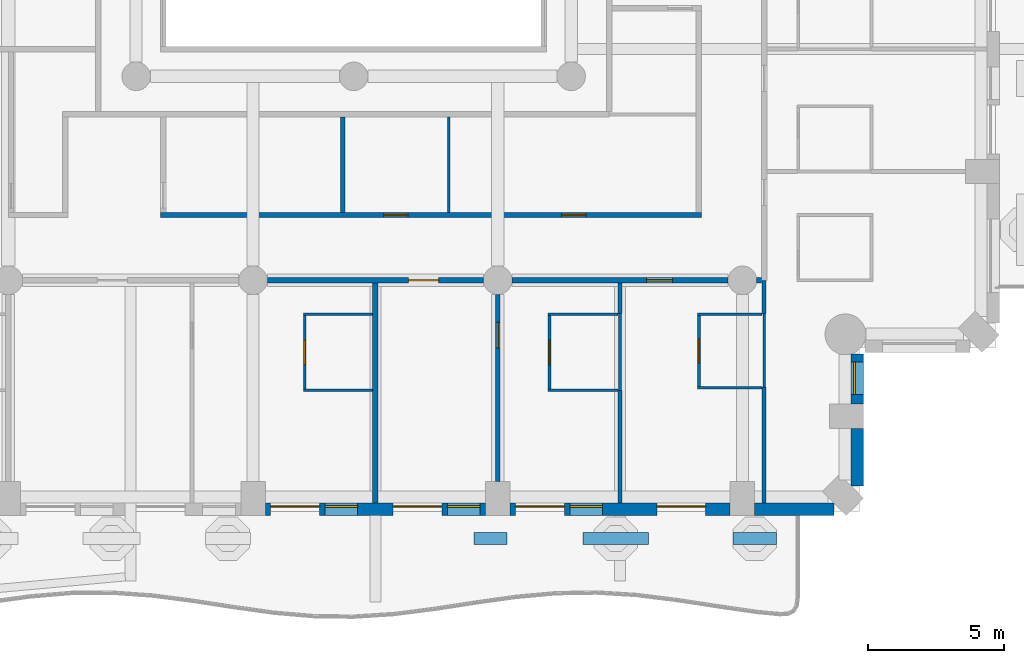
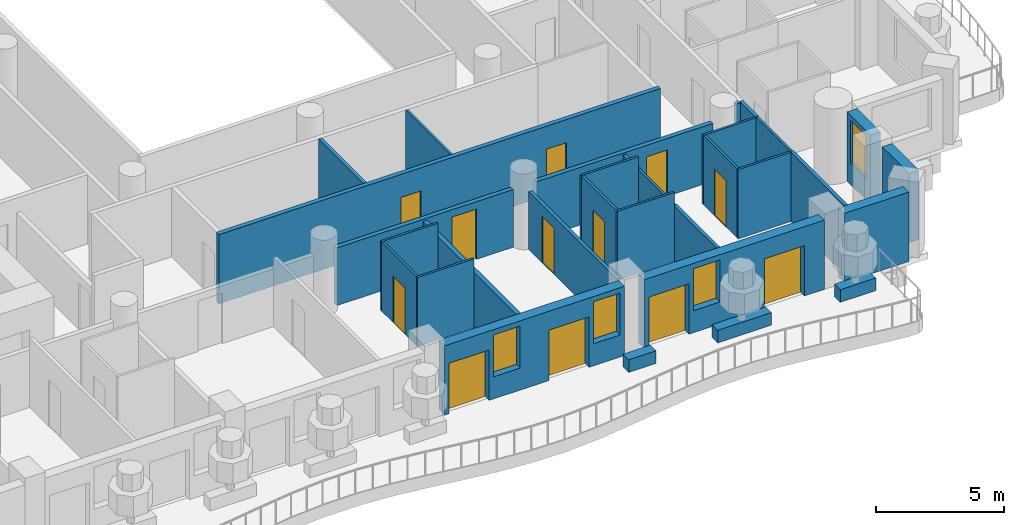
# One storey, part 5 of 20: 31 walls, 12 doors, 4 windows, 16 openings.
"""IFC4 building model written with IfcOpenShell, lengths in metres."""

from ifc_helpers import new_model, si_unit, direction, frame, frame_2d, origin, place, context, subcontext, project, spatial, rectangle, extrude, material, layer, layer_set, type_object, element, fill, save


model = new_model("IFC4")

# Units and contexts
model_context = context("Model", 3, precision=1e-05, world=origin(), true_north=direction((0.0, 1.0)))
body_context = subcontext(model_context, "Body", "Model", "MODEL_VIEW")
ifc_project = project(units=[si_unit("LENGTHUNIT", "METRE"), si_unit("AREAUNIT", "SQUARE_METRE"), si_unit("VOLUMEUNIT", "CUBIC_METRE"), si_unit("PLANEANGLEUNIT", "RADIAN"), si_unit("MASSUNIT", "GRAM", prefix="KILO")], contexts=[model_context])

# Site, building, storey
site_placement = place(None, origin())
site = spatial("IfcSite", under=ifc_project, at=site_placement, CompositionType="ELEMENT")
building_placement = place(site_placement, origin())
building = spatial("IfcBuilding", under=site, at=building_placement, Name="Cypress Arch Tower", CompositionType="ELEMENT")
storey_placement = place(building_placement, frame((0.0, 0.0, 134.699951171875)))
storey = spatial("IfcBuildingStorey", under=building, at=storey_placement, Name="L29", CompositionType="ELEMENT", Elevation=134.699951171875)

# Walls
ifc_material_1 = material(Name="Concrete C40/50, waterproofed", Category="concrete")
ifc_layer_1 = layer(ifc_material_1, 0.449951171875)
ifc_layer_set_1 = layer_set([ifc_layer_1], Name="Balcony planter wall PW450")
wall_type_1 = type_object("IfcWallType", Name="Balcony planter wall PW450", PredefinedType="SOLIDWALL", material=ifc_layer_set_1)
wall_1_placement = place(storey_placement, frame((5.419921875, -27.0, 0.0), z_axis=(0.0, 0.0, 1.0), x_axis=(1.0, 0.0, 0.0)))
element("IfcWall", 1, at=wall_1_placement, inside=storey, type_object=wall_type_1, Name="Balcony planter wall L29-A03.5", PredefinedType="SOLIDWALL", context=body_context, shape_type="SweptSolid", body=[
    extrude(rectangle(XDim=1.22998046875, YDim=0.449951171875, at=frame_2d((0.614990234375, 0.0))), origin(), (0.0, 0.0, 1.0), 0.60009765625),
])
wall_2_placement = place(storey_placement, frame((9.429931640625, -27.0, 0.0), z_axis=(0.0, 0.0, 1.0), x_axis=(1.0, 0.0, 0.0)))
element("IfcWall", 2, at=wall_2_placement, inside=storey, type_object=wall_type_1, Name="Balcony planter wall L29-A03.6", PredefinedType="SOLIDWALL", context=body_context, shape_type="SweptSolid", body=[
    extrude(rectangle(XDim=2.420166015625, YDim=0.449951171875, at=frame_2d((1.2099609375, 0.0))), origin(), (0.0, 0.0, 1.0), 0.60009765625),
])
wall_3_placement = place(storey_placement, frame((14.949951171875, -27.0, 0.0), z_axis=(0.0, 0.0, 1.0), x_axis=(1.0, 0.0, 0.0)))
element("IfcWall", 3, at=wall_3_placement, inside=storey, type_object=wall_type_1, Name="Balcony planter wall L29-A03.7", PredefinedType="SOLIDWALL", context=body_context, shape_type="SweptSolid", body=[
    extrude(rectangle(XDim=1.60009765625, YDim=0.449951171875, at=frame_2d((0.800048828125, 0.0))), origin(), (0.0, 0.0, 1.0), 0.60009765625),
])

# Wall, openings, doors, windows
ifc_material_2 = material(Name="Brick (red buff blend)", Category="masonry")
ifc_layer_2 = layer(ifc_material_2, 0.449951171875)
ifc_layer_set_2 = layer_set([ifc_layer_2], Name="Brick pier and spandrel wall BW450")
wall_type_2 = type_object("IfcWallType", Name="Brick pier and spandrel wall BW450", PredefinedType="SOLIDWALL", material=ifc_layer_set_2)
wall_4_placement = place(storey_placement, frame((-2.25, -25.925048828125, 0.0), z_axis=(0.0, 0.0, 1.0), x_axis=(1.0, 0.0, 0.0)))
wall_4 = element("IfcWall", 4, at=wall_4_placement, inside=storey, type_object=wall_type_2, Name="Brick wall L29 A03.3", PredefinedType="SOLIDWALL", context=body_context, shape_type="SweptSolid", body=[
    extrude(rectangle(XDim=8.10009765625, YDim=0.449951171875, at=frame_2d((4.050048828125, 0.0))), origin(), (0.0, 0.0, 1.0), 3.300048828125),
])
opening_1_placement = place(wall_4_placement, frame((0.199951171875, 0.0, 0.0)))
opening_1 = element("IfcOpeningElement", 5, at=opening_1_placement, cuts=wall_4, Name="Opening D-L29-A03.3.1", PredefinedType="OPENING", context=body_context, shape_type="SweptSolid", body=[
    extrude(rectangle(XDim=1.800048828125, YDim=2.39990234375, at=frame_2d((0.89990234375, 1.199951171875))), frame((0.0, 0.23486328125, 0.0), z_axis=(0.0, -1.0, 0.0), x_axis=(1.0, 0.0, 0.0)), (0.0, 0.0, 1.0), 0.469970703125),
])
opening_2_placement = place(wall_4_placement, frame((2.199951171875, 0.0, 1.050048828125)))
opening_2 = element("IfcOpeningElement", 6, at=opening_2_placement, cuts=wall_4, Name="Opening W120HD", PredefinedType="OPENING", context=body_context, shape_type="SweptSolid", body=[
    extrude(rectangle(XDim=1.199951171875, YDim=2.0, at=frame_2d((0.60009765625, 1.0))), frame((0.0, 0.23486328125, 0.0), z_axis=(0.0, -1.0, 0.0), x_axis=(1.0, 0.0, 0.0)), (0.0, 0.0, 1.0), 0.469970703125),
])
opening_3_placement = place(wall_4_placement, frame((4.699951171875, 0.0, 0.0)))
opening_3 = element("IfcOpeningElement", 7, at=opening_3_placement, cuts=wall_4, Name="Opening D-L29-A03.3.2", PredefinedType="OPENING", context=body_context, shape_type="SweptSolid", body=[
    extrude(rectangle(XDim=1.800048828125, YDim=2.39990234375, at=frame_2d((0.89990234375, 1.199951171875))), frame((0.0, 0.23486328125, 0.0), z_axis=(0.0, -1.0, 0.0), x_axis=(1.0, 0.0, 0.0)), (0.0, 0.0, 1.0), 0.469970703125),
])
opening_4_placement = place(wall_4_placement, frame((6.699951171875, 0.0, 1.050048828125)))
opening_4 = element("IfcOpeningElement", 8, at=opening_4_placement, cuts=wall_4, Name="Opening W120HD", PredefinedType="OPENING", context=body_context, shape_type="SweptSolid", body=[
    extrude(rectangle(XDim=1.199951171875, YDim=2.0, at=frame_2d((0.60009765625, 1.0))), frame((0.0, 0.23486328125, 0.0), z_axis=(0.0, -1.0, 0.0), x_axis=(1.0, 0.0, 0.0)), (0.0, 0.0, 1.0), 0.469970703125),
])
ifc_material_3 = material(Name="Anodised aluminium, bronze finish, laminated low-emissivity double glazing, large-missile impact rated", Category="aluminium")
door_type_1 = type_object("IfcDoorType", Name="Balcony sliding door 1800x2400", OperationType="SLIDING_TO_LEFT", PredefinedType="DOOR", material=ifc_material_3)
door_1_placement = place(opening_1_placement, origin())
door_1 = element("IfcDoor", 9, at=door_1_placement, inside=storey, type_object=door_type_1, Name="Balcony door L29 A03.3.1", OperationType="SLIDING_TO_LEFT", OverallHeight=2.39990234375, OverallWidth=1.800048828125, PredefinedType="DOOR", context=body_context, shape_type="SweptSolid", body=[
    extrude(rectangle(XDim=1.800048828125, YDim=2.39990234375, at=frame_2d((0.89990234375, 1.199951171875))), frame((0.0, 0.1298828125, 0.0), z_axis=(0.0, -1.0, 0.0), x_axis=(1.0, 0.0, 0.0)), (0.0, 0.0, 1.0), 0.050048828125),
])
fill(opening_1, door_1)
door_2_placement = place(opening_3_placement, origin())
door_2 = element("IfcDoor", 10, at=door_2_placement, inside=storey, type_object=door_type_1, Name="Balcony door L29 A03.3.2", OperationType="SLIDING_TO_LEFT", OverallHeight=2.39990234375, OverallWidth=1.800048828125, PredefinedType="DOOR", context=body_context, shape_type="SweptSolid", body=[
    extrude(rectangle(XDim=1.800048828125, YDim=2.39990234375, at=frame_2d((0.89990234375, 1.199951171875))), frame((0.0, 0.1298828125, 0.0), z_axis=(0.0, -1.0, 0.0), x_axis=(1.0, 0.0, 0.0)), (0.0, 0.0, 1.0), 0.050048828125),
])
fill(opening_3, door_2)
ifc_material_4 = material(Name="Anodised aluminium, bronze finish, laminated low-emissivity double glazing, large-missile impact rated", Category="aluminium")
window_type_1 = type_object("IfcWindowType", Name="Window Hotel 1200x2000 debris-rated", PartitioningType="SINGLE_PANEL", PredefinedType="WINDOW", material=ifc_material_4)
window_1_placement = place(opening_2_placement, origin())
window_1 = element("IfcWindow", 11, at=window_1_placement, inside=storey, type_object=window_type_1, Name="Window L29 A03.3.1", OverallHeight=2.0, OverallWidth=1.199951171875, PartitioningType="SINGLE_PANEL", PredefinedType="WINDOW", context=body_context, shape_type="SweptSolid", body=[
    extrude(rectangle(XDim=1.199951171875, YDim=2.0, at=frame_2d((0.60009765625, 1.0))), frame((0.0, 0.135009765625, 0.0), z_axis=(0.0, -1.0, 0.0), x_axis=(1.0, 0.0, 0.0)), (0.0, 0.0, 1.0), 0.06005859375),
])
fill(opening_2, window_1)
window_2_placement = place(opening_4_placement, origin())
window_2 = element("IfcWindow", 12, at=window_2_placement, inside=storey, type_object=window_type_1, Name="Window L29 A03.3.2", OverallHeight=2.0, OverallWidth=1.199951171875, PartitioningType="SINGLE_PANEL", PredefinedType="WINDOW", context=body_context, shape_type="SweptSolid", body=[
    extrude(rectangle(XDim=1.199951171875, YDim=2.0, at=frame_2d((0.60009765625, 1.0))), frame((0.0, 0.135009765625, 0.0), z_axis=(0.0, -1.0, 0.0), x_axis=(1.0, 0.0, 0.0)), (0.0, 0.0, 1.0), 0.06005859375),
])
fill(opening_4, window_2)

# Wall, openings, doors, window
wall_5_placement = place(storey_placement, frame((6.75, -25.925048828125, 0.0), z_axis=(0.0, 0.0, 1.0), x_axis=(1.0, 0.0, 0.0)))
wall_5 = element("IfcWall", 13, at=wall_5_placement, inside=storey, type_object=wall_type_2, Name="Brick wall L29 A03.4", PredefinedType="SOLIDWALL", context=body_context, shape_type="SweptSolid", body=[
    extrude(rectangle(XDim=8.10009765625, YDim=0.449951171875, at=frame_2d((4.050048828125, 0.0))), origin(), (0.0, 0.0, 1.0), 3.300048828125),
])
opening_5_placement = place(wall_5_placement, frame((0.199951171875, 0.0, 0.0)))
opening_5 = element("IfcOpeningElement", 14, at=opening_5_placement, cuts=wall_5, Name="Opening D-L29-A03.4.1", PredefinedType="OPENING", context=body_context, shape_type="SweptSolid", body=[
    extrude(rectangle(XDim=1.800048828125, YDim=2.39990234375, at=frame_2d((0.89990234375, 1.199951171875))), frame((0.0, 0.23486328125, 0.0), z_axis=(0.0, -1.0, 0.0), x_axis=(1.0, 0.0, 0.0)), (0.0, 0.0, 1.0), 0.469970703125),
])
opening_6_placement = place(wall_5_placement, frame((2.199951171875, 0.0, 1.050048828125)))
opening_6 = element("IfcOpeningElement", 15, at=opening_6_placement, cuts=wall_5, Name="Opening W120HD", PredefinedType="OPENING", context=body_context, shape_type="SweptSolid", body=[
    extrude(rectangle(XDim=1.199951171875, YDim=2.0, at=frame_2d((0.60009765625, 1.0))), frame((0.0, 0.23486328125, 0.0), z_axis=(0.0, -1.0, 0.0), x_axis=(1.0, 0.0, 0.0)), (0.0, 0.0, 1.0), 0.469970703125),
])
opening_7_placement = place(wall_5_placement, frame((5.39990234375, 0.0, 0.0)))
opening_7 = element("IfcOpeningElement", 16, at=opening_7_placement, cuts=wall_5, Name="Opening D-L29-A03.4.2", PredefinedType="OPENING", context=body_context, shape_type="SweptSolid", body=[
    extrude(rectangle(XDim=1.800048828125, YDim=2.39990234375, at=frame_2d((0.89990234375, 1.199951171875))), frame((0.0, 0.23486328125, 0.0), z_axis=(0.0, -1.0, 0.0), x_axis=(1.0, 0.0, 0.0)), (0.0, 0.0, 1.0), 0.469970703125),
])
door_3_placement = place(opening_5_placement, origin())
door_3 = element("IfcDoor", 17, at=door_3_placement, inside=storey, type_object=door_type_1, Name="Balcony door L29 A03.4.1", OperationType="SLIDING_TO_LEFT", OverallHeight=2.39990234375, OverallWidth=1.800048828125, PredefinedType="DOOR", context=body_context, shape_type="SweptSolid", body=[
    extrude(rectangle(XDim=1.800048828125, YDim=2.39990234375, at=frame_2d((0.89990234375, 1.199951171875))), frame((0.0, 0.1298828125, 0.0), z_axis=(0.0, -1.0, 0.0), x_axis=(1.0, 0.0, 0.0)), (0.0, 0.0, 1.0), 0.050048828125),
])
fill(opening_5, door_3)
door_4_placement = place(opening_7_placement, origin())
door_4 = element("IfcDoor", 18, at=door_4_placement, inside=storey, type_object=door_type_1, Name="Balcony door L29 A03.4.2", OperationType="SLIDING_TO_LEFT", OverallHeight=2.39990234375, OverallWidth=1.800048828125, PredefinedType="DOOR", context=body_context, shape_type="SweptSolid", body=[
    extrude(rectangle(XDim=1.800048828125, YDim=2.39990234375, at=frame_2d((0.89990234375, 1.199951171875))), frame((0.0, 0.1298828125, 0.0), z_axis=(0.0, -1.0, 0.0), x_axis=(1.0, 0.0, 0.0)), (0.0, 0.0, 1.0), 0.050048828125),
])
fill(opening_7, door_4)
window_3_placement = place(opening_6_placement, origin())
window_3 = element("IfcWindow", 19, at=window_3_placement, inside=storey, type_object=window_type_1, Name="Window L29 A03.4.1", OverallHeight=2.0, OverallWidth=1.199951171875, PartitioningType="SINGLE_PANEL", PredefinedType="WINDOW", context=body_context, shape_type="SweptSolid", body=[
    extrude(rectangle(XDim=1.199951171875, YDim=2.0, at=frame_2d((0.60009765625, 1.0))), frame((0.0, 0.135009765625, 0.0), z_axis=(0.0, -1.0, 0.0), x_axis=(1.0, 0.0, 0.0)), (0.0, 0.0, 1.0), 0.06005859375),
])
fill(opening_6, window_3)

# Walls
wall_6_placement = place(storey_placement, frame((15.75, -25.925048828125, 0.0), z_axis=(0.0, 0.0, 1.0), x_axis=(1.0, 0.0, 0.0)))
element("IfcWall", 20, at=wall_6_placement, inside=storey, type_object=wall_type_2, Name="Brick wall L29 A03.5", PredefinedType="SOLIDWALL", context=body_context, shape_type="SweptSolid", body=[
    extrude(rectangle(XDim=2.91357421875, YDim=0.449951171875, at=frame_2d((1.456787109375, 0.0))), origin(), (0.0, 0.0, 1.0), 3.300048828125),
])
wall_7_placement = place(storey_placement, frame((19.52490234375, -25.063720703125, 0.0), z_axis=(0.0, 0.0, 1.0), x_axis=(0.0, 1.0, 0.0)))
element("IfcWall", 21, at=wall_7_placement, inside=storey, type_object=wall_type_2, Name="Brick wall L29 A04.0", PredefinedType="SOLIDWALL", context=body_context, shape_type="SweptSolid", body=[
    extrude(rectangle(XDim=2.11376953125, YDim=0.449951171875, at=frame_2d((1.056884765625, 0.0))), origin(), (0.0, 0.0, 1.0), 3.300048828125),
])

# Wall, opening, window
wall_8_placement = place(storey_placement, frame((19.52490234375, -22.050048828125, 0.0), z_axis=(0.0, 0.0, 1.0), x_axis=(0.0, 1.0, 0.0)))
wall_8 = element("IfcWall", 22, at=wall_8_placement, inside=storey, type_object=wall_type_2, Name="Brick wall L29 A04.1", PredefinedType="SOLIDWALL", context=body_context, shape_type="SweptSolid", body=[
    extrude(rectangle(XDim=1.843017578125, YDim=0.449951171875, at=frame_2d((0.92138671875, 0.0))), origin(), (0.0, 0.0, 1.0), 3.300048828125),
])
opening_8_placement = place(wall_8_placement, frame((0.35009765625, 0.0, 1.050048828125)))
opening_8 = element("IfcOpeningElement", 23, at=opening_8_placement, cuts=wall_8, Name="Opening W120H", PredefinedType="OPENING", context=body_context, shape_type="SweptSolid", body=[
    extrude(rectangle(XDim=1.199951171875, YDim=2.0, at=frame_2d((0.60009765625, 1.0))), frame((0.0, 0.23486328125, 0.0), z_axis=(0.0, -1.0, 0.0), x_axis=(1.0, 0.0, 0.0)), (0.0, 0.0, 1.0), 0.469970703125),
])
ifc_material_5 = material(Name="Anodised aluminium, bronze finish, clear low-emissivity double glazing", Category="aluminium")
window_type_2 = type_object("IfcWindowType", Name="Window Hotel 1200x2000", PartitioningType="SINGLE_PANEL", PredefinedType="WINDOW", material=ifc_material_5)
window_4_placement = place(opening_8_placement, origin())
window_4 = element("IfcWindow", 24, at=window_4_placement, inside=storey, type_object=window_type_2, Name="Window L29 A04.1.1", OverallHeight=2.0, OverallWidth=1.199951171875, PartitioningType="SINGLE_PANEL", PredefinedType="WINDOW", context=body_context, shape_type="SweptSolid", body=[
    extrude(rectangle(XDim=1.199951171875, YDim=2.0, at=frame_2d((0.60009765625, 1.0))), frame((0.0, 0.135009765625, 0.0), z_axis=(0.0, -1.0, 0.0), x_axis=(1.0, 0.0, 0.0)), (0.0, 0.0, 1.0), 0.06005859375),
])
fill(opening_8, window_4)

# Wall, opening, door
ifc_material_6 = material(Name="Concrete blockwork, plastered, rated", Category="masonry")
ifc_layer_3 = layer(ifc_material_6, 0.199951171875)
ifc_layer_set_3 = layer_set([ifc_layer_3], Name="Corridor wall FW200")
wall_type_3 = type_object("IfcWallType", Name="Corridor wall FW200", PredefinedType="PARTITIONING", material=ifc_layer_set_3)
wall_9_placement = place(storey_placement, frame((-2.175048828125, -17.5, 0.0), z_axis=(0.0, 0.0, 1.0), x_axis=(1.0, 0.0, 0.0)))
wall_9 = element("IfcWall", 25, at=wall_9_placement, inside=storey, type_object=wall_type_3, Name="Corridor wall", PredefinedType="PARTITIONING", context=body_context, shape_type="SweptSolid", body=[
    extrude(rectangle(XDim=7.949951171875, YDim=0.199951171875, at=frame_2d((3.97509765625, 0.0))), origin(), (0.0, 0.0, 1.0), 2.75),
])
opening_9_placement = place(wall_9_placement, frame((5.199951171875, 0.0, 0.0)))
opening_9 = element("IfcOpeningElement", 26, at=opening_9_placement, cuts=wall_9, Name="Opening D01", PredefinedType="OPENING", context=body_context, shape_type="SweptSolid", body=[
    extrude(rectangle(XDim=1.10009765625, YDim=2.39990234375, at=frame_2d((0.550048828125, 1.199951171875))), frame((0.0, 0.10986328125, 0.0), z_axis=(0.0, -1.0, 0.0), x_axis=(1.0, 0.0, 0.0)), (0.0, 0.0, 1.0), 0.219970703125),
])
ifc_material_7 = material(Name="Timber flush door, fire resisting, self-closing", Category="wood")
door_type_2 = type_object("IfcDoorType", Name="Unit entrance door D01 1100x2400", OperationType="SINGLE_SWING_LEFT", PredefinedType="DOOR", material=ifc_material_7)
door_5_placement = place(opening_9_placement, origin())
door_5 = element("IfcDoor", 27, at=door_5_placement, inside=storey, type_object=door_type_2, Name="Unit entrance door", OperationType="SINGLE_SWING_RIGHT", OverallHeight=2.39990234375, OverallWidth=1.10009765625, PredefinedType="DOOR", context=body_context, shape_type="SweptSolid", body=[
    extrude(rectangle(XDim=1.10009765625, YDim=2.39990234375, at=frame_2d((0.550048828125, 1.199951171875))), frame((0.0, 0.02490234375, 0.0), z_axis=(0.0, -1.0, 0.0), x_axis=(1.0, 0.0, 0.0)), (0.0, 0.0, 1.0), 0.050048828125),
])
fill(opening_9, door_5)

wall_10_placement = place(storey_placement, frame((6.824951171875, -17.5, 0.0), z_axis=(0.0, 0.0, 1.0), x_axis=(1.0, 0.0, 0.0)))
wall_10 = element("IfcWall", 28, at=wall_10_placement, inside=storey, type_object=wall_type_3, Name="Corridor wall", PredefinedType="PARTITIONING", context=body_context, shape_type="SweptSolid", body=[
    extrude(rectangle(XDim=7.949951171875, YDim=0.199951171875, at=frame_2d((3.97509765625, 0.0))), origin(), (0.0, 0.0, 1.0), 2.75),
])
opening_10_placement = place(wall_10_placement, frame((4.949951171875, 0.0, 0.0)))
opening_10 = element("IfcOpeningElement", 29, at=opening_10_placement, cuts=wall_10, Name="Opening D02", PredefinedType="OPENING", context=body_context, shape_type="SweptSolid", body=[
    extrude(rectangle(XDim=0.949951171875, YDim=2.199951171875, at=frame_2d((0.47509765625, 1.10009765625))), frame((0.0, 0.10986328125, 0.0), z_axis=(0.0, -1.0, 0.0), x_axis=(1.0, 0.0, 0.0)), (0.0, 0.0, 1.0), 0.219970703125),
])
ifc_material_8 = material(Name="Timber flush door, fire resisting", Category="wood")
door_type_3 = type_object("IfcDoorType", Name="Room door D02 950x2200", OperationType="SINGLE_SWING_LEFT", PredefinedType="DOOR", material=ifc_material_8)
door_6_placement = place(opening_10_placement, origin())
door_6 = element("IfcDoor", 30, at=door_6_placement, inside=storey, type_object=door_type_3, Name="Room door", OperationType="SINGLE_SWING_RIGHT", OverallHeight=2.199951171875, OverallWidth=0.949951171875, PredefinedType="DOOR", context=body_context, shape_type="SweptSolid", body=[
    extrude(rectangle(XDim=0.949951171875, YDim=2.199951171875, at=frame_2d((0.47509765625, 1.10009765625))), frame((0.0, 0.02490234375, 0.0), z_axis=(0.0, -1.0, 0.0), x_axis=(1.0, 0.0, 0.0)), (0.0, 0.0, 1.0), 0.050048828125),
])
fill(opening_10, door_6)

# Wall
wall_11_placement = place(storey_placement, frame((15.824951171875, -17.5, 0.0), z_axis=(0.0, 0.0, 1.0), x_axis=(1.0, 0.0, 0.0)))
element("IfcWall", 31, at=wall_11_placement, inside=storey, type_object=wall_type_3, Name="Corridor wall", PredefinedType="PARTITIONING", context=body_context, shape_type="SweptSolid", body=[
    extrude(rectangle(XDim=0.175048828125, YDim=0.199951171875, at=frame_2d((0.08740234375, 0.0))), origin(), (0.0, 0.0, 1.0), 3.300048828125),
])

# Wall, openings, doors
wall_12_placement = place(storey_placement, frame((-6.10009765625, -15.10009765625, 0.0), z_axis=(0.0, 0.0, 1.0), x_axis=(1.0, 0.0, 0.0)))
wall_12 = element("IfcWall", 32, at=wall_12_placement, inside=storey, type_object=wall_type_3, Name="Corridor wall", PredefinedType="PARTITIONING", context=body_context, shape_type="SweptSolid", body=[
    extrude(rectangle(XDim=19.900146484375, YDim=0.199951171875, at=frame_2d((9.9501953125, 0.0))), origin(), (0.0, 0.0, 1.0), 3.300048828125),
])
opening_11_placement = place(wall_12_placement, frame((8.199951171875, 0.0, 0.0)))
opening_11 = element("IfcOpeningElement", 33, at=opening_11_placement, cuts=wall_12, Name="Opening D05", PredefinedType="OPENING", context=body_context, shape_type="SweptSolid", body=[
    extrude(rectangle(XDim=0.89990234375, YDim=2.199951171875, at=frame_2d((0.449951171875, 1.10009765625))), frame((0.0, 0.10986328125, 0.0), z_axis=(0.0, -1.0, 0.0), x_axis=(1.0, 0.0, 0.0)), (0.0, 0.0, 1.0), 0.219970703125),
])
opening_12_placement = place(wall_12_placement, frame((14.75, 0.0, 0.0)))
opening_12 = element("IfcOpeningElement", 34, at=opening_12_placement, cuts=wall_12, Name="Opening D03", PredefinedType="OPENING", context=body_context, shape_type="SweptSolid", body=[
    extrude(rectangle(XDim=0.89990234375, YDim=2.199951171875, at=frame_2d((0.449951171875, 1.10009765625))), frame((0.0, 0.10986328125, 0.0), z_axis=(0.0, -1.0, 0.0), x_axis=(1.0, 0.0, 0.0)), (0.0, 0.0, 1.0), 0.219970703125),
])
ifc_material_9 = material(Name="Timber flush door, moisture resistant", Category="wood")
door_type_4 = type_object("IfcDoorType", Name="Bathroom door D03 900x2200", OperationType="SINGLE_SWING_LEFT", PredefinedType="DOOR", material=ifc_material_9)
door_7_placement = place(opening_12_placement, origin())
door_7 = element("IfcDoor", 35, at=door_7_placement, inside=storey, type_object=door_type_4, Name="Bathroom door", OperationType="SINGLE_SWING_RIGHT", OverallHeight=2.199951171875, OverallWidth=0.89990234375, PredefinedType="DOOR", context=body_context, shape_type="SweptSolid", body=[
    extrude(rectangle(XDim=0.89990234375, YDim=2.199951171875, at=frame_2d((0.449951171875, 1.10009765625))), frame((0.0, 0.02490234375, 0.0), z_axis=(0.0, -1.0, 0.0), x_axis=(1.0, 0.0, 0.0)), (0.0, 0.0, 1.0), 0.050048828125),
])
fill(opening_12, door_7)
ifc_material_10 = material(Name="Timber flush door", Category="wood")
door_type_5 = type_object("IfcDoorType", Name="Service door D05 900x2200", OperationType="SINGLE_SWING_LEFT", PredefinedType="DOOR", material=ifc_material_10)
door_8_placement = place(opening_11_placement, origin())
door_8 = element("IfcDoor", 36, at=door_8_placement, inside=storey, type_object=door_type_5, Name="Service door", OperationType="SINGLE_SWING_LEFT", OverallHeight=2.199951171875, OverallWidth=0.89990234375, PredefinedType="DOOR", context=body_context, shape_type="SweptSolid", body=[
    extrude(rectangle(XDim=0.89990234375, YDim=2.199951171875, at=frame_2d((0.449951171875, 1.10009765625))), frame((0.0, 0.02490234375, 0.0), z_axis=(0.0, -1.0, 0.0), x_axis=(1.0, 0.0, 0.0)), (0.0, 0.0, 1.0), 0.050048828125),
])
fill(opening_11, door_8)

# Wall
ifc_material_11 = material(Name="Blockwork, plastered both sides", Category="masonry")
ifc_layer_4 = layer(ifc_material_11, 0.14990234375)
ifc_layer_set_4 = layer_set([ifc_layer_4], Name="Partition PW150")
wall_type_4 = type_object("IfcWallType", Name="Partition PW150", PredefinedType="PARTITIONING", material=ifc_layer_set_4)
wall_13_placement = place(storey_placement, frame((0.60009765625, -15.0, 0.0), z_axis=(0.0, 0.0, 1.0), x_axis=(0.0, 1.0, 0.0)))
element("IfcWall", 37, at=wall_13_placement, inside=storey, type_object=wall_type_4, Name="Partition", PredefinedType="PARTITIONING", context=body_context, shape_type="SweptSolid", body=[
    extrude(rectangle(XDim=3.5, YDim=0.14990234375, at=frame_2d((1.75, 0.0))), origin(), (0.0, 0.0, 1.0), 3.300048828125),
])

# Wall, opening, door
wall_14_placement = place(storey_placement, frame((6.300048828125, -24.89990234375, 0.0), z_axis=(0.0, 0.0, 1.0), x_axis=(0.0, 1.0, 0.0)))
wall_14 = element("IfcWall", 38, at=wall_14_placement, inside=storey, type_object=wall_type_4, Name="Partition", PredefinedType="PARTITIONING", context=body_context, shape_type="SweptSolid", body=[
    extrude(rectangle(XDim=6.875, YDim=0.14990234375, at=frame_2d((3.4375, 0.0))), origin(), (0.0, 0.0, 1.0), 2.75),
])
opening_13_placement = place(wall_14_placement, frame((4.89990234375, 0.0, 0.0)))
opening_13 = element("IfcOpeningElement", 39, at=opening_13_placement, cuts=wall_14, Name="Opening D12", PredefinedType="OPENING", context=body_context, shape_type="SweptSolid", body=[
    extrude(rectangle(XDim=0.949951171875, YDim=2.199951171875, at=frame_2d((0.47509765625, 1.10009765625))), frame((0.0, 0.0849609375, 0.0), z_axis=(0.0, -1.0, 0.0), x_axis=(1.0, 0.0, 0.0)), (0.0, 0.0, 1.0), 0.169921875),
])
ifc_material_12 = material(Name="Timber flush door", Category="wood")
door_type_6 = type_object("IfcDoorType", Name="Room door D12 950x2200", OperationType="SINGLE_SWING_LEFT", PredefinedType="DOOR", material=ifc_material_12)
door_9_placement = place(opening_13_placement, origin())
door_9 = element("IfcDoor", 40, at=door_9_placement, inside=storey, type_object=door_type_6, Name="Room door", OperationType="SINGLE_SWING_RIGHT", OverallHeight=2.199951171875, OverallWidth=0.949951171875, PredefinedType="DOOR", context=body_context, shape_type="SweptSolid", body=[
    extrude(rectangle(XDim=0.949951171875, YDim=2.199951171875, at=frame_2d((0.47509765625, 1.10009765625))), frame((0.0, 0.02490234375, 0.0), z_axis=(0.0, -1.0, 0.0), x_axis=(1.0, 0.0, 0.0)), (0.0, 0.0, 1.0), 0.050048828125),
])
fill(opening_13, door_9)

# Walls
wall_15_placement = place(storey_placement, frame((10.800048828125, -25.699951171875, 0.0), z_axis=(0.0, 0.0, 1.0), x_axis=(0.0, 1.0, 0.0)))
element("IfcWall", 41, at=wall_15_placement, inside=storey, type_object=wall_type_4, Name="Partition", PredefinedType="PARTITIONING", context=body_context, shape_type="SweptSolid", body=[
    extrude(rectangle(XDim=4.14990234375, YDim=0.14990234375, at=frame_2d((2.074951171875, 0.0))), origin(), (0.0, 0.0, 1.0), 2.650146484375),
])
wall_16_placement = place(storey_placement, frame((10.800048828125, -18.72998046875, 0.0), z_axis=(0.0, 0.0, 1.0), x_axis=(0.0, 1.0, 0.0)))
element("IfcWall", 42, at=wall_16_placement, inside=storey, type_object=wall_type_4, Name="Partition", PredefinedType="PARTITIONING", context=body_context, shape_type="SweptSolid", body=[
    extrude(rectangle(XDim=1.1298828125, YDim=0.14990234375, at=frame_2d((0.56494140625, 0.0))), origin(), (0.0, 0.0, 1.0), 2.650146484375),
])
wall_17_placement = place(storey_placement, frame((16.10009765625, -25.699951171875, 0.0), z_axis=(0.0, 0.0, 1.0), x_axis=(0.0, 1.0, 0.0)))
element("IfcWall", 43, at=wall_17_placement, inside=storey, type_object=wall_type_4, Name="Partition", PredefinedType="PARTITIONING", context=body_context, shape_type="SweptSolid", body=[
    extrude(rectangle(XDim=4.27001953125, YDim=0.14990234375, at=frame_2d((2.135009765625, 0.0))), origin(), (0.0, 0.0, 1.0), 3.300048828125),
])
wall_18_placement = place(storey_placement, frame((16.10009765625, -18.72998046875, 0.0), z_axis=(0.0, 0.0, 1.0), x_axis=(0.0, 1.0, 0.0)))
element("IfcWall", 44, at=wall_18_placement, inside=storey, type_object=wall_type_4, Name="Partition", PredefinedType="PARTITIONING", context=body_context, shape_type="SweptSolid", body=[
    extrude(rectangle(XDim=1.22998046875, YDim=0.14990234375, at=frame_2d((0.614990234375, 0.0))), origin(), (0.0, 0.0, 1.0), 3.300048828125),
])
ifc_material_13 = material(Name="Dense blockwork, plastered both sides, acoustic and rated", Category="masonry")
ifc_layer_5 = layer(ifc_material_13, 0.199951171875)
ifc_layer_set_5 = layer_set([ifc_layer_5], Name="Party wall PW200")
wall_type_5 = type_object("IfcWallType", Name="Party wall PW200", PredefinedType="PARTITIONING", material=ifc_layer_set_5)
wall_19_placement = place(storey_placement, frame((1.800048828125, -25.699951171875, 0.0), z_axis=(0.0, 0.0, 1.0), x_axis=(0.0, 1.0, 0.0)))
element("IfcWall", 45, at=wall_19_placement, inside=storey, type_object=wall_type_5, Name="Party wall", PredefinedType="PARTITIONING", context=body_context, shape_type="SweptSolid", body=[
    extrude(rectangle(XDim=8.099853515625, YDim=0.199951171875, at=frame_2d((4.0498046875, 0.0))), origin(), (0.0, 0.0, 1.0), 2.650146484375),
])

# Wall, opening, door
ifc_material_14 = material(Name="Moisture resistant board on steel studs, tiled", Category="steel")
ifc_layer_6 = layer(ifc_material_14, 0.10009765625)
ifc_layer_set_6 = layer_set([ifc_layer_6], Name="Wet wall PW100")
wall_type_6 = type_object("IfcWallType", Name="Wet wall PW100", PredefinedType="PARTITIONING", material=ifc_layer_set_6)
wall_20_placement = place(storey_placement, frame((-0.7958984375, -21.5, 0.0), z_axis=(0.0, 0.0, 1.0), x_axis=(0.0, 1.0, 0.0)))
wall_20 = element("IfcWall", 46, at=wall_20_placement, inside=storey, type_object=wall_type_6, Name="Wet wall", PredefinedType="PARTITIONING", context=body_context, shape_type="SweptSolid", body=[
    extrude(rectangle(XDim=2.699951171875, YDim=0.10009765625, at=frame_2d((1.35009765625, 0.0))), origin(), (0.0, 0.0, 1.0), 3.300048828125),
])
opening_14_placement = place(wall_20_placement, frame((0.89990234375, 0.0, 0.0)))
opening_14 = element("IfcOpeningElement", 47, at=opening_14_placement, cuts=wall_20, Name="Opening D03", PredefinedType="OPENING", context=body_context, shape_type="SweptSolid", body=[
    extrude(rectangle(XDim=0.89990234375, YDim=2.199951171875, at=frame_2d((0.449951171875, 1.10009765625))), frame((0.0, 0.06005859375, 0.0), z_axis=(0.0, -1.0, 0.0), x_axis=(1.0, 0.0, 0.0)), (0.0, 0.0, 1.0), 0.1201171875),
])
door_10_placement = place(opening_14_placement, origin())
door_10 = element("IfcDoor", 48, at=door_10_placement, inside=storey, type_object=door_type_4, Name="Bathroom door", OperationType="SINGLE_SWING_LEFT", OverallHeight=2.199951171875, OverallWidth=0.89990234375, PredefinedType="DOOR", context=body_context, shape_type="SweptSolid", body=[
    extrude(rectangle(XDim=0.89990234375, YDim=2.199951171875, at=frame_2d((0.449951171875, 1.10009765625))), frame((0.0, 0.02490234375, 0.0), z_axis=(0.0, -1.0, 0.0), x_axis=(1.0, 0.0, 0.0)), (0.0, 0.0, 1.0), 0.050048828125),
])
fill(opening_14, door_10)

# Walls
for number, where, z_axis, x_axis, name in (
    (49, (-0.845947265625, -21.550048828125, 0.0), (0.0, 0.0, 1.0), (1.0, 0.0, 0.0), "Wet wall"),
    (50, (-0.845947265625, -18.75, 0.0), (0.0, 0.0, 1.0), (1.0, 0.0, 0.0), "Wet wall"),
):
    element("IfcWall", number, at=place(storey_placement, frame(where, z_axis=z_axis, x_axis=x_axis)), inside=storey, type_object=wall_type_6, Name=name, PredefinedType="PARTITIONING", context=body_context, shape_type="SweptSolid", body=[
        extrude(rectangle(XDim=2.5458984375, YDim=0.10009765625, at=frame_2d((1.27294921875, 0.0))), origin(), (0.0, 0.0, 1.0), 3.300048828125),
    ])
wall_21_placement = place(storey_placement, frame((4.5, -15.0, 0.0), z_axis=(0.0, 0.0, 1.0), x_axis=(0.0, 1.0, 0.0)))
element("IfcWall", 51, at=wall_21_placement, inside=storey, type_object=wall_type_6, Name="Wet wall", PredefinedType="PARTITIONING", context=body_context, shape_type="SweptSolid", body=[
    extrude(rectangle(XDim=3.5, YDim=0.10009765625, at=frame_2d((1.75, 0.0))), origin(), (0.0, 0.0, 1.0), 3.300048828125),
])

# Wall, opening, door
wall_22_placement = place(storey_placement, frame((8.2041015625, -21.5, 0.0), z_axis=(0.0, 0.0, 1.0), x_axis=(0.0, 1.0, 0.0)))
wall_22 = element("IfcWall", 52, at=wall_22_placement, inside=storey, type_object=wall_type_6, Name="Wet wall", PredefinedType="PARTITIONING", context=body_context, shape_type="SweptSolid", body=[
    extrude(rectangle(XDim=2.699951171875, YDim=0.10009765625, at=frame_2d((1.35009765625, 0.0))), origin(), (0.0, 0.0, 1.0), 3.300048828125),
])
opening_15_placement = place(wall_22_placement, frame((0.89990234375, 0.0, 0.0)))
opening_15 = element("IfcOpeningElement", 53, at=opening_15_placement, cuts=wall_22, Name="Opening D03", PredefinedType="OPENING", context=body_context, shape_type="SweptSolid", body=[
    extrude(rectangle(XDim=0.89990234375, YDim=2.199951171875, at=frame_2d((0.449951171875, 1.10009765625))), frame((0.0, 0.06005859375, 0.0), z_axis=(0.0, -1.0, 0.0), x_axis=(1.0, 0.0, 0.0)), (0.0, 0.0, 1.0), 0.1201171875),
])
door_11_placement = place(opening_15_placement, origin())
door_11 = element("IfcDoor", 54, at=door_11_placement, inside=storey, type_object=door_type_4, Name="Bathroom door", OperationType="SINGLE_SWING_LEFT", OverallHeight=2.199951171875, OverallWidth=0.89990234375, PredefinedType="DOOR", context=body_context, shape_type="SweptSolid", body=[
    extrude(rectangle(XDim=0.89990234375, YDim=2.199951171875, at=frame_2d((0.449951171875, 1.10009765625))), frame((0.0, 0.02490234375, 0.0), z_axis=(0.0, -1.0, 0.0), x_axis=(1.0, 0.0, 0.0)), (0.0, 0.0, 1.0), 0.050048828125),
])
fill(opening_15, door_11)

# Walls
for number, where, z_axis, x_axis, name in (
    (55, (8.154052734375, -21.550048828125, 0.0), (0.0, 0.0, 1.0), (1.0, 0.0, 0.0), "Wet wall"),
    (56, (8.154052734375, -18.75, 0.0), (0.0, 0.0, 1.0), (1.0, 0.0, 0.0), "Wet wall"),
):
    element("IfcWall", number, at=place(storey_placement, frame(where, z_axis=z_axis, x_axis=x_axis)), inside=storey, type_object=wall_type_6, Name=name, PredefinedType="PARTITIONING", context=body_context, shape_type="SweptSolid", body=[
        extrude(rectangle(XDim=2.571044921875, YDim=0.10009765625, at=frame_2d((1.28564453125, 0.0))), origin(), (0.0, 0.0, 1.0), 3.300048828125),
    ])
wall_23_placement = place(storey_placement, frame((10.800048828125, -21.550048828125, 0.0), z_axis=(0.0, 0.0, 1.0), x_axis=(0.0, 1.0, 0.0)))
element("IfcWall", 57, at=wall_23_placement, inside=storey, type_object=wall_type_6, Name="Wet wall", PredefinedType="PARTITIONING", context=body_context, shape_type="SweptSolid", body=[
    extrude(rectangle(XDim=2.820068359375, YDim=0.10009765625, at=frame_2d((1.41015625, 0.0))), origin(), (0.0, 0.0, 1.0), 2.650146484375),
])

# Wall, opening, door
wall_24_placement = place(storey_placement, frame((13.699951171875, -21.39990234375, 0.0), z_axis=(0.0, 0.0, 1.0), x_axis=(0.0, 1.0, 0.0)))
wall_24 = element("IfcWall", 58, at=wall_24_placement, inside=storey, type_object=wall_type_6, Name="Wet wall", PredefinedType="PARTITIONING", context=body_context, shape_type="SweptSolid", body=[
    extrude(rectangle(XDim=2.599853515625, YDim=0.10009765625, at=frame_2d((1.2998046875, 0.0))), origin(), (0.0, 0.0, 1.0), 3.300048828125),
])
opening_16_placement = place(wall_24_placement, frame((0.85009765625, 0.0, 0.0)))
opening_16 = element("IfcOpeningElement", 59, at=opening_16_placement, cuts=wall_24, Name="Opening D03", PredefinedType="OPENING", context=body_context, shape_type="SweptSolid", body=[
    extrude(rectangle(XDim=0.89990234375, YDim=2.199951171875, at=frame_2d((0.449951171875, 1.10009765625))), frame((0.0, 0.06005859375, 0.0), z_axis=(0.0, -1.0, 0.0), x_axis=(1.0, 0.0, 0.0)), (0.0, 0.0, 1.0), 0.1201171875),
])
door_12_placement = place(opening_16_placement, origin())
door_12 = element("IfcDoor", 60, at=door_12_placement, inside=storey, type_object=door_type_4, Name="Bathroom door", OperationType="SINGLE_SWING_LEFT", OverallHeight=2.199951171875, OverallWidth=0.89990234375, PredefinedType="DOOR", context=body_context, shape_type="SweptSolid", body=[
    extrude(rectangle(XDim=0.89990234375, YDim=2.199951171875, at=frame_2d((0.449951171875, 1.10009765625))), frame((0.0, 0.02490234375, 0.0), z_axis=(0.0, -1.0, 0.0), x_axis=(1.0, 0.0, 0.0)), (0.0, 0.0, 1.0), 0.050048828125),
])
fill(opening_16, door_12)

# Walls
for number, where, z_axis, x_axis, name in (
    (61, (13.64990234375, -21.449951171875, 0.0), (0.0, 0.0, 1.0), (1.0, 0.0, 0.0), "Wet wall"),
    (62, (13.64990234375, -18.75, 0.0), (0.0, 0.0, 1.0), (1.0, 0.0, 0.0), "Wet wall"),
):
    element("IfcWall", number, at=place(storey_placement, frame(where, z_axis=z_axis, x_axis=x_axis)), inside=storey, type_object=wall_type_6, Name=name, PredefinedType="PARTITIONING", context=body_context, shape_type="SweptSolid", body=[
        extrude(rectangle(XDim=2.375, YDim=0.10009765625, at=frame_2d((1.1875, 0.0))), origin(), (0.0, 0.0, 1.0), 3.300048828125),
    ])
wall_25_placement = place(storey_placement, frame((16.10009765625, -21.429931640625, 0.0), z_axis=(0.0, 0.0, 1.0), x_axis=(0.0, 1.0, 0.0)))
element("IfcWall", 63, at=wall_25_placement, inside=storey, type_object=wall_type_6, Name="Wet wall", PredefinedType="PARTITIONING", context=body_context, shape_type="SweptSolid", body=[
    extrude(rectangle(XDim=2.699951171875, YDim=0.10009765625, at=frame_2d((1.35009765625, 0.0))), origin(), (0.0, 0.0, 1.0), 3.300048828125),
])

save(model, "model.ifc")
